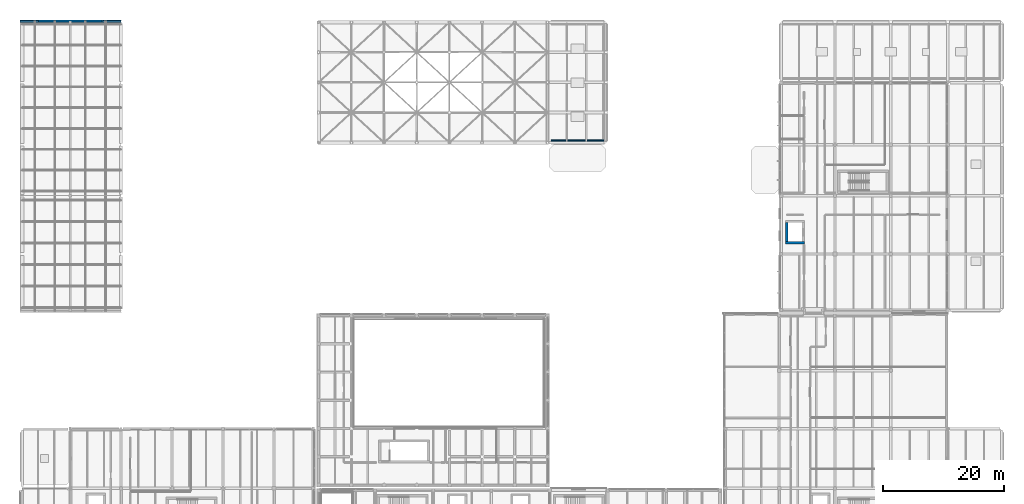
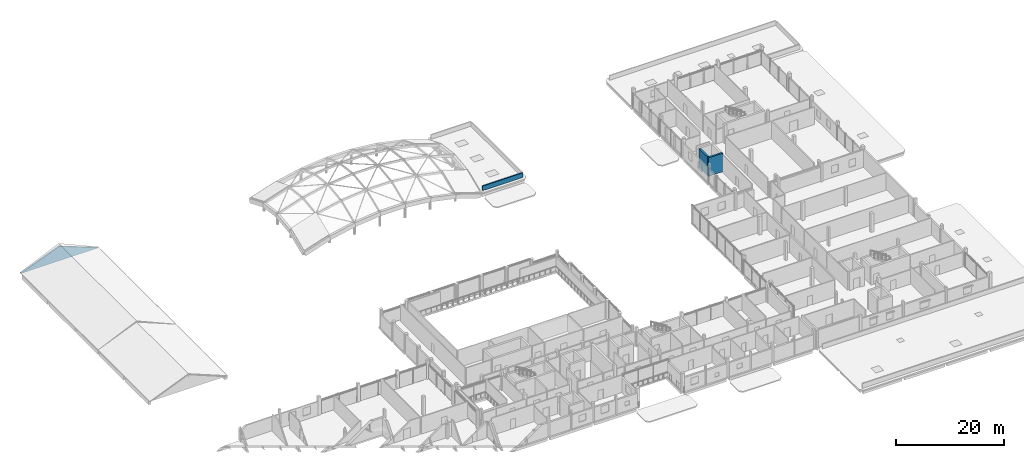
# One storey, part 46 of 66: 4 walls.
"""IFC4 building model written with IfcOpenShell, lengths in metres."""

import ifcopenshell
import ifcopenshell.guid

model = None  # the IFC model being written
_history = None  # IfcOwnerHistory: only IFC2X3 demands one
_inside = {}  # id of a spatial element -> (the spatial element, [elements in it])
_under = {}  # id of a project, library or spatial element -> (it, [spatial elements below it])
_declared = {}  # id of a project -> (the project, [libraries it declares])
_typed = {}  # id of a type object -> (the type object, [elements of that type])
_made_of = {}  # id of a material, layer set ... -> (it, [elements and type objects made of it])


def new_model(schema):
    """Start an empty IFC model of exactly this schema.

    Asked for "IFC4X3", IfcOpenShell would pick the latest addendum, in which some entities
    have other attributes; the version numbers below select the first issue.
    IFC2X3 requires an IfcOwnerHistory on every rooted entity: one is made here for all.
    """
    global model, _history
    if schema == "IFC4X3":
        model = ifcopenshell.file(schema_version=(4, 3, 0, 0))
    else:
        model = ifcopenshell.file(schema=schema)
    _inside.clear()
    _under.clear()
    _declared.clear()
    _typed.clear()
    _made_of.clear()
    _history = None
    if model.schema == "IFC2X3":
        org = make("IfcOrganization", Name="unknown")
        user = make(
            "IfcPersonAndOrganization",
            ThePerson=make("IfcPerson", FamilyName="unknown"),
            TheOrganization=org,
        )
        app = make(
            "IfcApplication",
            ApplicationDeveloper=org,
            Version="unknown",
            ApplicationFullName="unknown",
            ApplicationIdentifier="unknown",
        )
        _history = make(
            "IfcOwnerHistory",
            OwningUser=user,
            OwningApplication=app,
            ChangeAction="ADDED",
            CreationDate=0,
        )
    return model


def make(cls, **values):
    """One entity of the class cls with the attributes given. An attribute that is None is left unset."""
    return model.create_entity(
        cls, **{name: value for name, value in values.items() if value is not None}
    )


def rooted(cls, **values):
    """An entity with a GlobalId (a new one), such as an element, a storey or a relation."""
    return make(cls, GlobalId=ifcopenshell.guid.new(), OwnerHistory=_history, **values)


def si_unit(unit_type, name, prefix=None):
    """IfcSIUnit, for example si_unit("LENGTHUNIT", "METRE", prefix="MILLI")."""
    return make("IfcSIUnit", UnitType=unit_type, Prefix=prefix, Name=name)


def assignment(units):
    """IfcUnitAssignment: the units of a project."""
    return None if units is None else make("IfcUnitAssignment", Units=units)


def point(xyz):
    """IfcCartesianPoint."""
    return None if xyz is None else make("IfcCartesianPoint", Coordinates=xyz)


def direction(xyz):
    """IfcDirection."""
    return None if xyz is None else make("IfcDirection", DirectionRatios=xyz)


def frame(location, z_axis=None, x_axis=None):
    """IfcAxis2Placement3D, a coordinate frame: its origin and axes. An axis left out is left unset."""
    return make(
        "IfcAxis2Placement3D",
        Location=point(location),
        Axis=direction(z_axis),
        RefDirection=direction(x_axis),
    )


def frame_2d(location, x_axis=None):
    """IfcAxis2Placement2D, a coordinate frame in the plane: its origin and x axis."""
    return make(
        "IfcAxis2Placement2D", Location=point(location), RefDirection=direction(x_axis)
    )


def origin():
    """The frame at (0, 0, 0) with its axes left unset."""
    return frame((0.0, 0.0, 0.0))


def place(relative_to, where):
    """IfcLocalPlacement: puts the frame where relative to a parent placement (None: the world)."""
    return make(
        "IfcLocalPlacement", PlacementRelTo=relative_to, RelativePlacement=where
    )


def context(
    kind, dimensions, precision=None, world=None, true_north=None, identifier=None
):
    """IfcGeometricRepresentationContext, for example the 3D "Model" context."""
    return make(
        "IfcGeometricRepresentationContext",
        ContextIdentifier=identifier,
        ContextType=kind,
        CoordinateSpaceDimension=dimensions,
        Precision=precision,
        WorldCoordinateSystem=world,
        TrueNorth=true_north,
    )


def subcontext(parent, identifier, kind, view, scale=None):
    """IfcGeometricRepresentationSubContext, for example "Body" below "Model"."""
    return make(
        "IfcGeometricRepresentationSubContext",
        ContextIdentifier=identifier,
        ContextType=kind,
        ParentContext=parent,
        TargetScale=scale,
        TargetView=view,
    )


def project(units=None, contexts=None):
    """IfcProject with its units and contexts."""
    return rooted(
        "IfcProject",
        Name="project",
        RepresentationContexts=contexts,
        UnitsInContext=assignment(units),
    )


def spatial(cls, under=None, at=None, **own):
    """A site, building, storey or space (cls), placed at a placement, below another one or the project."""
    s = rooted(cls, ObjectPlacement=at, **own)
    if under is not None:
        _under.setdefault(under.id(), (under, []))[1].append(s)
    return s


def polyline(points):
    """IfcPolyline through the points."""
    return make("IfcPolyline", Points=[point(p) for p in points])


def profile(cls, at=None, kind="AREA", **sizes):
    """A parametric profile (cls). Its sizes go by their IFC names, for example OverallWidth=200.0."""
    return make(cls, ProfileType=kind, Position=at, **sizes)


def rectangle(**sizes):
    """IfcRectangleProfileDef."""
    return profile("IfcRectangleProfileDef", **sizes)


def outline(outer, holes=None, kind="AREA"):
    """IfcArbitraryClosedProfileDef: a profile drawn as a closed curve; with holes, ...WithVoids."""
    if holes is None:
        return make("IfcArbitraryClosedProfileDef", ProfileType=kind, OuterCurve=outer)
    return make(
        "IfcArbitraryProfileDefWithVoids",
        ProfileType=kind,
        OuterCurve=outer,
        InnerCurves=holes,
    )


def extrude(swept, where, along, depth):
    """IfcExtrudedAreaSolid: the profile swept, set in the frame where, extruded along a direction by depth."""
    return make(
        "IfcExtrudedAreaSolid",
        SweptArea=swept,
        Position=where,
        ExtrudedDirection=direction(along),
        Depth=depth,
    )


def shape(context_of_items, identifier, shape_type, items):
    """IfcShapeRepresentation: the items that make up one representation, for example the "Body"."""
    return make(
        "IfcShapeRepresentation",
        ContextOfItems=context_of_items,
        RepresentationIdentifier=identifier,
        RepresentationType=shape_type,
        Items=items,
    )


def material(Name=None, Category=None):
    """IfcMaterial."""
    return make("IfcMaterial", Name=Name, Category=Category)


def layer(
    of_material, thickness, ventilated=None, Name=None, Category=None, Priority=None
):
    """IfcMaterialLayer: one layer of a wall or slab, of a material (None: an air gap)."""
    return make(
        "IfcMaterialLayer",
        Material=of_material,
        LayerThickness=thickness,
        IsVentilated=ventilated,
        Name=Name,
        Category=Category,
        Priority=Priority,
    )


def layer_set(layers, Name=None):
    """IfcMaterialLayerSet."""
    return make("IfcMaterialLayerSet", MaterialLayers=layers, LayerSetName=Name)


def made_of(thing, what):
    """Note that an element or type object is made of a material, layer set ...; save() writes the relation."""
    if what is not None:
        _made_of.setdefault(what.id(), (what, []))[1].append(thing)
    return thing


def type_object(cls, material=None, **own):
    """A type object (cls), such as IfcWallType, which elements share."""
    return made_of(rooted(cls, **own), material)


def element(
    cls,
    number,
    at=None,
    inside=None,
    cuts=None,
    type_object=None,
    material=None,
    context=None,
    identifier="Body",
    shape_type=None,
    held_by="IfcProductDefinitionShape",
    body=None,
    shapes=None,
    **own,
):
    """One element of the class cls, such as IfcWall. Its Tag is "e" and its number.

    at: its placement. inside: the storey or other place that contains it. cuts: it is an
    opening in that element (IfcRelVoidsElement). A single representation is given by context,
    identifier, shape_type and body (its items); several are given by shapes. held_by: the class
    of the entity that holds the representations. save() writes the other relations.
    """
    e = rooted(cls, Tag="e%d" % number, ObjectPlacement=at, **own)
    if body is not None:
        shapes = [shape(context, identifier, shape_type, body)]
    if shapes is not None:
        e.Representation = make(held_by, Representations=shapes)
    if inside is not None:
        _inside.setdefault(inside.id(), (inside, []))[1].append(e)
    if cuts is not None:
        rooted(
            "IfcRelVoidsElement", RelatingBuildingElement=cuts, RelatedOpeningElement=e
        )
    if type_object is not None:
        _typed.setdefault(type_object.id(), (type_object, []))[1].append(e)
    return made_of(e, material)


def aggregate(whole, parts):
    """IfcRelAggregates: a whole, such as a stair, and the parts it consists of."""
    return rooted("IfcRelAggregates", RelatingObject=whole, RelatedObjects=parts)


def save(model, path):
    """Write the relations noted so far, then the file.

    IfcRelAggregates (storeys below a building ...), IfcRelContainedInSpatialStructure (elements
    in a storey), IfcRelDefinesByType, IfcRelAssociatesMaterial and IfcRelDeclares: one each for
    every whole, place, type object, material and project.
    """
    for whole, parts in _under.values():
        aggregate(whole, parts)
    for where, things in _inside.values():
        rooted(
            "IfcRelContainedInSpatialStructure",
            RelatedElements=things,
            RelatingStructure=where,
        )
    for kind, things in _typed.values():
        rooted("IfcRelDefinesByType", RelatedObjects=things, RelatingType=kind)
    for what, things in _made_of.values():
        rooted("IfcRelAssociatesMaterial", RelatedObjects=things, RelatingMaterial=what)
    for by, libraries in _declared.values():
        rooted("IfcRelDeclares", RelatingContext=by, RelatedDefinitions=libraries)
    model.write(path)


model = new_model("IFC4")

# Units and contexts
model_context = context("Model", 3, precision=1e-05, world=origin(), true_north=direction((0.0, 1.0)))
body_context = subcontext(model_context, "Body", "Model", "MODEL_VIEW")
ifc_project = project(units=[si_unit("LENGTHUNIT", "METRE"), si_unit("AREAUNIT", "SQUARE_METRE"), si_unit("VOLUMEUNIT", "CUBIC_METRE"), si_unit("PLANEANGLEUNIT", "RADIAN"), si_unit("MASSUNIT", "GRAM", prefix="KILO")], contexts=[model_context])

# Site, building, storey
site_placement = place(None, origin())
site = spatial("IfcSite", under=ifc_project, at=site_placement, CompositionType="ELEMENT")
building_placement = place(site_placement, origin())
building = spatial("IfcBuilding", under=site, at=building_placement, Name="Birchvale Park Specialist Clinic", CompositionType="ELEMENT")
storey_placement = place(building_placement, frame((0.0, 0.0, 5.39990234375)))
storey = spatial("IfcBuildingStorey", under=building, at=storey_placement, Name="L01", CompositionType="ELEMENT", Elevation=5.39990234375)

# Walls
ifc_material_1 = material(Name="Concrete C40/50", Category="concrete")
ifc_layer_1 = layer(ifc_material_1, 0.39990234375)
ifc_layer_set_1 = layer_set([ifc_layer_1], Name="Concrete C40/50")
wall_type_1 = type_object("IfcWallType", Name="WL-CW-120", PredefinedType="SHEAR", material=ifc_layer_set_1)
wall_1_placement = place(storey_placement, frame((129.050048828125, 75.050048828125, 0.0), z_axis=(0.0, 0.0, 1.0), x_axis=(1.0, 0.0, 0.0)))
element("IfcWall", 1, at=wall_1_placement, inside=storey, type_object=wall_type_1, Name="L01 lift LP2 shaft wall (south)", PredefinedType="SHEAR", context=body_context, shape_type="SweptSolid", body=[
    extrude(rectangle(XDim=3.099853515625, YDim=0.39990234375, at=frame_2d((1.5498046875, 0.0))), origin(), (0.0, 0.0, 1.0), 4.2001953125),
])
wall_2_placement = place(storey_placement, frame((129.25, 75.25, 0.0), z_axis=(0.0, 0.0, 1.0), x_axis=(0.0, 1.0, 0.0)))
element("IfcWall", 2, at=wall_2_placement, inside=storey, type_object=wall_type_1, Name="L01 lift LP2 shaft wall (west)", PredefinedType="SHEAR", context=body_context, shape_type="SweptSolid", body=[
    extrude(rectangle(XDim=3.10009765625, YDim=0.39990234375, at=frame_2d((1.550048828125, 0.0))), origin(), (0.0, 0.0, 1.0), 4.2001953125),
])
ifc_material_2 = material(Name="Lime-white mineral-rendered insulated masonry", Category="masonry")
ifc_layer_2 = layer(ifc_material_2, 0.31005859375)
ifc_layer_set_2 = layer_set([ifc_layer_2], Name="Lime-white mineral-rendered insulated masonry")
wall_type_2 = type_object("IfcWallType", Name="WL-EW-02", PredefinedType="STANDARD", material=ifc_layer_set_2)
wall_3_placement = place(storey_placement, frame((19.60009765625, 111.570068359375, 0.0), z_axis=(0.0, 0.0, 1.0), x_axis=(-1.0, 0.0, 0.0)))
element("IfcWall", 3, at=wall_3_placement, inside=storey, type_object=wall_type_2, Name="L01 west park pavilion gable wall N", PredefinedType="STANDARD", context=body_context, shape_type="SweptSolid", body=[
    extrude(outline(polyline([(0.0, 0.0), (16.650146484375, 0.0), (16.64990234375, 0.0), (8.39990234375, 3.25), (0.0, 0.0), (0.0, 0.0)])), frame((0.0, 0.155029296875, 0.0), z_axis=(0.0, -1.0, 0.0), x_axis=(1.0, 0.0, 0.0)), (0.0, 0.0, 1.0), 0.31005859375),
])
ifc_layer_3 = layer(ifc_material_2, 0.22998046875)
ifc_layer_set_3 = layer_set([ifc_layer_3], Name="Lime-white mineral-rendered insulated masonry")
wall_type_3 = type_object("IfcWallType", Name="WL-PW-01", PredefinedType="PARAPET", material=ifc_layer_set_3)
wall_4_placement = place(storey_placement, frame((90.5, 91.89990234375, 0.0), z_axis=(0.0, 0.0, 1.0), x_axis=(1.0, 0.0, 0.0)))
element("IfcWall", 4, at=wall_4_placement, inside=storey, type_object=wall_type_3, Name="L01 roof edge parapet 1", PredefinedType="PARAPET", context=body_context, shape_type="SweptSolid", body=[
    extrude(rectangle(XDim=8.60009765625, YDim=0.22998046875, at=frame_2d((4.300048828125, 0.0))), origin(), (0.0, 0.0, 1.0), 1.050048828125),
])

save(model, "model.ifc")
